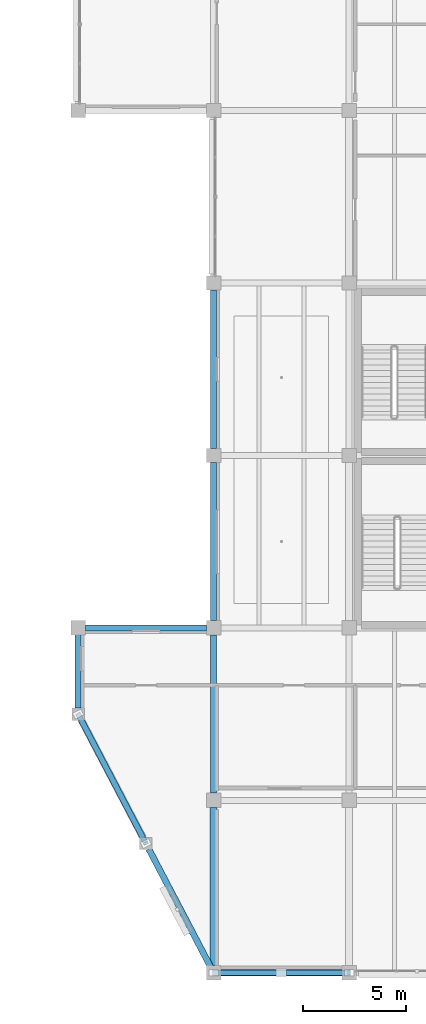
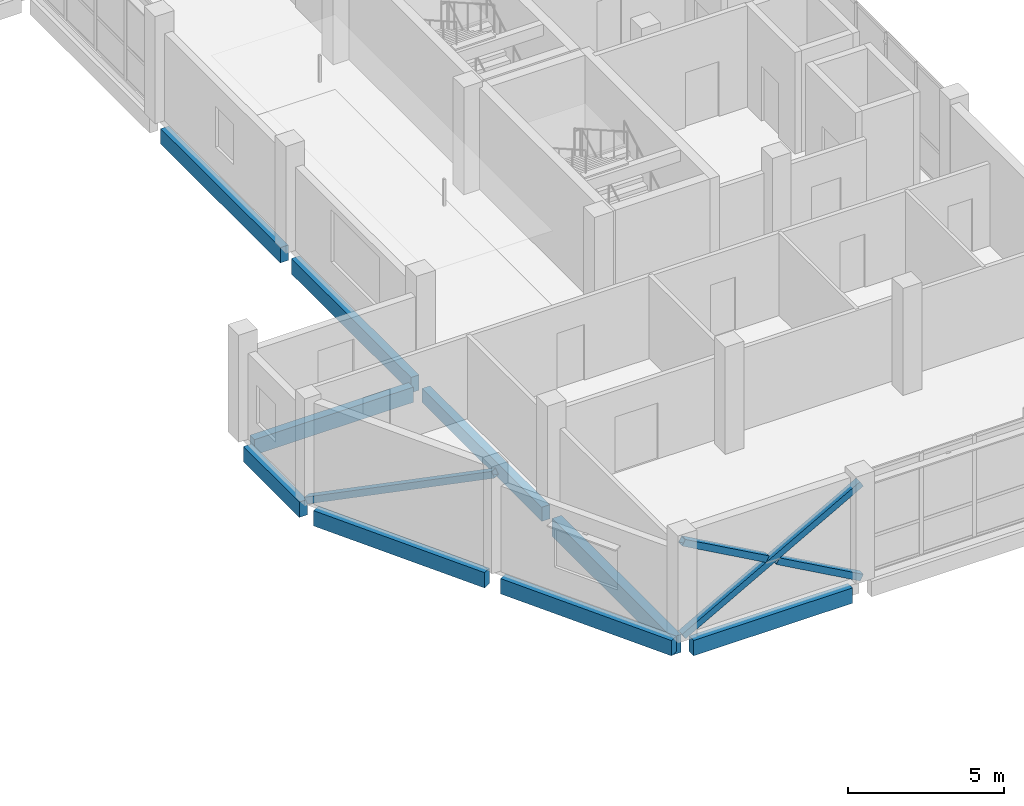
# One storey, part 15 of 47: 9 beams, 4 members.
"""IFC4 building model written with IfcOpenShell, lengths in metres."""

import ifcopenshell
import ifcopenshell.guid

model = None  # the IFC model being written
_history = None  # IfcOwnerHistory: only IFC2X3 demands one
_inside = {}  # id of a spatial element -> (the spatial element, [elements in it])
_under = {}  # id of a project, library or spatial element -> (it, [spatial elements below it])
_declared = {}  # id of a project -> (the project, [libraries it declares])
_typed = {}  # id of a type object -> (the type object, [elements of that type])
_made_of = {}  # id of a material, layer set ... -> (it, [elements and type objects made of it])


def new_model(schema):
    """Start an empty IFC model of exactly this schema.

    Asked for "IFC4X3", IfcOpenShell would pick the latest addendum, in which some entities
    have other attributes; the version numbers below select the first issue.
    IFC2X3 requires an IfcOwnerHistory on every rooted entity: one is made here for all.
    """
    global model, _history
    if schema == "IFC4X3":
        model = ifcopenshell.file(schema_version=(4, 3, 0, 0))
    else:
        model = ifcopenshell.file(schema=schema)
    _inside.clear()
    _under.clear()
    _declared.clear()
    _typed.clear()
    _made_of.clear()
    _history = None
    if model.schema == "IFC2X3":
        org = make("IfcOrganization", Name="unknown")
        user = make(
            "IfcPersonAndOrganization",
            ThePerson=make("IfcPerson", FamilyName="unknown"),
            TheOrganization=org,
        )
        app = make(
            "IfcApplication",
            ApplicationDeveloper=org,
            Version="unknown",
            ApplicationFullName="unknown",
            ApplicationIdentifier="unknown",
        )
        _history = make(
            "IfcOwnerHistory",
            OwningUser=user,
            OwningApplication=app,
            ChangeAction="ADDED",
            CreationDate=0,
        )
    return model


def make(cls, **values):
    """One entity of the class cls with the attributes given. An attribute that is None is left unset."""
    return model.create_entity(
        cls, **{name: value for name, value in values.items() if value is not None}
    )


def rooted(cls, **values):
    """An entity with a GlobalId (a new one), such as an element, a storey or a relation."""
    return make(cls, GlobalId=ifcopenshell.guid.new(), OwnerHistory=_history, **values)


def si_unit(unit_type, name, prefix=None):
    """IfcSIUnit, for example si_unit("LENGTHUNIT", "METRE", prefix="MILLI")."""
    return make("IfcSIUnit", UnitType=unit_type, Prefix=prefix, Name=name)


def assignment(units):
    """IfcUnitAssignment: the units of a project."""
    return None if units is None else make("IfcUnitAssignment", Units=units)


def point(xyz):
    """IfcCartesianPoint."""
    return None if xyz is None else make("IfcCartesianPoint", Coordinates=xyz)


def direction(xyz):
    """IfcDirection."""
    return None if xyz is None else make("IfcDirection", DirectionRatios=xyz)


def frame(location, z_axis=None, x_axis=None):
    """IfcAxis2Placement3D, a coordinate frame: its origin and axes. An axis left out is left unset."""
    return make(
        "IfcAxis2Placement3D",
        Location=point(location),
        Axis=direction(z_axis),
        RefDirection=direction(x_axis),
    )


def frame_2d(location, x_axis=None):
    """IfcAxis2Placement2D, a coordinate frame in the plane: its origin and x axis."""
    return make(
        "IfcAxis2Placement2D", Location=point(location), RefDirection=direction(x_axis)
    )


def origin():
    """The frame at (0, 0, 0) with its axes left unset."""
    return frame((0.0, 0.0, 0.0))


def origin_2d():
    """The frame at (0, 0) in the plane with its x axis left unset."""
    return frame_2d((0.0, 0.0))


def place(relative_to, where):
    """IfcLocalPlacement: puts the frame where relative to a parent placement (None: the world)."""
    return make(
        "IfcLocalPlacement", PlacementRelTo=relative_to, RelativePlacement=where
    )


def context(
    kind, dimensions, precision=None, world=None, true_north=None, identifier=None
):
    """IfcGeometricRepresentationContext, for example the 3D "Model" context."""
    return make(
        "IfcGeometricRepresentationContext",
        ContextIdentifier=identifier,
        ContextType=kind,
        CoordinateSpaceDimension=dimensions,
        Precision=precision,
        WorldCoordinateSystem=world,
        TrueNorth=true_north,
    )


def subcontext(parent, identifier, kind, view, scale=None):
    """IfcGeometricRepresentationSubContext, for example "Body" below "Model"."""
    return make(
        "IfcGeometricRepresentationSubContext",
        ContextIdentifier=identifier,
        ContextType=kind,
        ParentContext=parent,
        TargetScale=scale,
        TargetView=view,
    )


def project(units=None, contexts=None):
    """IfcProject with its units and contexts."""
    return rooted(
        "IfcProject",
        Name="project",
        RepresentationContexts=contexts,
        UnitsInContext=assignment(units),
    )


def spatial(cls, under=None, at=None, **own):
    """A site, building, storey or space (cls), placed at a placement, below another one or the project."""
    s = rooted(cls, ObjectPlacement=at, **own)
    if under is not None:
        _under.setdefault(under.id(), (under, []))[1].append(s)
    return s


def profile(cls, at=None, kind="AREA", **sizes):
    """A parametric profile (cls). Its sizes go by their IFC names, for example OverallWidth=200.0."""
    return make(cls, ProfileType=kind, Position=at, **sizes)


def rectangle(**sizes):
    """IfcRectangleProfileDef."""
    return profile("IfcRectangleProfileDef", **sizes)


def hollow_rectangle(**sizes):
    """IfcRectangleHollowProfileDef."""
    return profile("IfcRectangleHollowProfileDef", **sizes)


def extrude(swept, where, along, depth):
    """IfcExtrudedAreaSolid: the profile swept, set in the frame where, extruded along a direction by depth."""
    return make(
        "IfcExtrudedAreaSolid",
        SweptArea=swept,
        Position=where,
        ExtrudedDirection=direction(along),
        Depth=depth,
    )


def shape(context_of_items, identifier, shape_type, items):
    """IfcShapeRepresentation: the items that make up one representation, for example the "Body"."""
    return make(
        "IfcShapeRepresentation",
        ContextOfItems=context_of_items,
        RepresentationIdentifier=identifier,
        RepresentationType=shape_type,
        Items=items,
    )


def material(Name=None, Category=None):
    """IfcMaterial."""
    return make("IfcMaterial", Name=Name, Category=Category)


def material_profile(
    of_material, cross_section, Name=None, Category=None, Priority=None
):
    """IfcMaterialProfile: a cross section and its material."""
    return make(
        "IfcMaterialProfile",
        Name=Name,
        Material=of_material,
        Profile=cross_section,
        Priority=Priority,
        Category=Category,
    )


def profile_set(profiles, Name=None, composite=None):
    """IfcMaterialProfileSet."""
    return make(
        "IfcMaterialProfileSet",
        Name=Name,
        MaterialProfiles=profiles,
        CompositeProfile=composite,
    )


def made_of(thing, what):
    """Note that an element or type object is made of a material, layer set ...; save() writes the relation."""
    if what is not None:
        _made_of.setdefault(what.id(), (what, []))[1].append(thing)
    return thing


def type_object(cls, material=None, **own):
    """A type object (cls), such as IfcWallType, which elements share."""
    return made_of(rooted(cls, **own), material)


def element(
    cls,
    number,
    at=None,
    inside=None,
    cuts=None,
    type_object=None,
    material=None,
    context=None,
    identifier="Body",
    shape_type=None,
    held_by="IfcProductDefinitionShape",
    body=None,
    shapes=None,
    **own,
):
    """One element of the class cls, such as IfcWall. Its Tag is "e" and its number.

    at: its placement. inside: the storey or other place that contains it. cuts: it is an
    opening in that element (IfcRelVoidsElement). A single representation is given by context,
    identifier, shape_type and body (its items); several are given by shapes. held_by: the class
    of the entity that holds the representations. save() writes the other relations.
    """
    e = rooted(cls, Tag="e%d" % number, ObjectPlacement=at, **own)
    if body is not None:
        shapes = [shape(context, identifier, shape_type, body)]
    if shapes is not None:
        e.Representation = make(held_by, Representations=shapes)
    if inside is not None:
        _inside.setdefault(inside.id(), (inside, []))[1].append(e)
    if cuts is not None:
        rooted(
            "IfcRelVoidsElement", RelatingBuildingElement=cuts, RelatedOpeningElement=e
        )
    if type_object is not None:
        _typed.setdefault(type_object.id(), (type_object, []))[1].append(e)
    return made_of(e, material)


def aggregate(whole, parts):
    """IfcRelAggregates: a whole, such as a stair, and the parts it consists of."""
    return rooted("IfcRelAggregates", RelatingObject=whole, RelatedObjects=parts)


def save(model, path):
    """Write the relations noted so far, then the file.

    IfcRelAggregates (storeys below a building ...), IfcRelContainedInSpatialStructure (elements
    in a storey), IfcRelDefinesByType, IfcRelAssociatesMaterial and IfcRelDeclares: one each for
    every whole, place, type object, material and project.
    """
    for whole, parts in _under.values():
        aggregate(whole, parts)
    for where, things in _inside.values():
        rooted(
            "IfcRelContainedInSpatialStructure",
            RelatedElements=things,
            RelatingStructure=where,
        )
    for kind, things in _typed.values():
        rooted("IfcRelDefinesByType", RelatedObjects=things, RelatingType=kind)
    for what, things in _made_of.values():
        rooted("IfcRelAssociatesMaterial", RelatedObjects=things, RelatingMaterial=what)
    for by, libraries in _declared.values():
        rooted("IfcRelDeclares", RelatingContext=by, RelatedDefinitions=libraries)
    model.write(path)


model = new_model("IFC4")

# Units and contexts
model_context = context("Model", 3, precision=1e-05, world=origin(), true_north=direction((0.0, 1.0)))
body_context = subcontext(model_context, "Body", "Model", "MODEL_VIEW")
ifc_project = project(units=[si_unit("LENGTHUNIT", "METRE"), si_unit("AREAUNIT", "SQUARE_METRE"), si_unit("VOLUMEUNIT", "CUBIC_METRE"), si_unit("PLANEANGLEUNIT", "RADIAN"), si_unit("MASSUNIT", "GRAM", prefix="KILO")], contexts=[model_context])

# Site, building, storey
site_placement = place(None, origin())
site = spatial("IfcSite", under=ifc_project, at=site_placement, CompositionType="ELEMENT")
building_placement = place(site_placement, origin())
building = spatial("IfcBuilding", under=site, at=building_placement, Name="Qaldarim Faculty of Natural and Applied Sciences", CompositionType="ELEMENT")
storey_placement = place(building_placement, frame((0.0, 0.0, 22.800048828125)))
storey = spatial("IfcBuildingStorey", under=building, at=storey_placement, Name="L05", CompositionType="ELEMENT", Elevation=22.800048828125)

# Beam
ifc_material_1 = material(Name="Concrete C40/50", Category="concrete")
ifc_material_profile_1 = material_profile(ifc_material_1, rectangle(XDim=0.300048828125, YDim=0.550048828125, at=origin_2d()), Name="RC-B300x550")
ifc_profile_set_1 = profile_set([ifc_material_profile_1], Name="Concrete C40/50")
beam_type_1 = type_object("IfcBeamType", Name="FloorBeam-RC300x550", PredefinedType="BEAM", material=ifc_profile_set_1)
beam_1_placement = place(storey_placement, frame((158.39990234375, 8.75, -0.53515625), z_axis=(0.0, 1.0, 0.0), x_axis=(-1.0, 0.0, 0.0)))
element("IfcBeam", 1, at=beam_1_placement, inside=storey, type_object=beam_type_1, Name="Beam RC-B300x550 L04 X25/Y02-Y03", PredefinedType="BEAM", context=body_context, shape_type="SweptSolid", body=[
    extrude(rectangle(XDim=0.300048828125, YDim=0.550048828125, at=origin_2d()), origin(), (0.0, 0.0, 1.0), 7.699951171875),
])

# Members
ifc_material_2 = material(Name="Structural steel S355", Category="steel")
ifc_material_profile_2 = material_profile(ifc_material_2, hollow_rectangle(XDim=0.25, YDim=0.25, WallThickness=0.01611328125, at=origin_2d()), Name="SHS 250x250x16.0")
ifc_profile_set_2 = profile_set([ifc_material_profile_2], Name="Structural steel S355")
member_type = type_object("IfcMemberType", Name="MidWingBrace-SHS250x16", PredefinedType="BRACE", material=ifc_profile_set_2)
member_1_placement = place(storey_placement, frame((158.39990234375, 0.0, 0.0), z_axis=(0.873414086048, 0.0, 0.48697826881), x_axis=(0.0, 1.0, 0.0)))
element("IfcMember", 2, at=member_1_placement, inside=storey, type_object=member_type, Name="South diagrid L05 primary brace L", PredefinedType="BRACE", context=body_context, shape_type="SweptSolid", body=[
    extrude(hollow_rectangle(XDim=0.25, YDim=0.25, WallThickness=0.01611328125, at=origin_2d()), origin(), (0.0, 0.0, 1.0), 7.556640625),
])
for number, where, z_axis, x_axis, name in (
    (3, (165.0, 0.0, 0.0), (-0.873318444574, 0.0, 0.487149765849), (0.0, -1.0, 0.0), "South diagrid L05 split secondary lower brace R1"),
    (4, (161.510009765625, 0.0, 1.945068359375), (-0.873318444574, 0.0, 0.487149765849), (0.0, -1.0, 0.0), "South diagrid L05 split secondary upper brace R2"),
):
    element("IfcMember", number, at=place(storey_placement, frame(where, z_axis=z_axis, x_axis=x_axis)), inside=storey, type_object=member_type, Name=name, PredefinedType="BRACE", context=body_context, shape_type="SweptSolid", body=[
        extrude(hollow_rectangle(XDim=0.25, YDim=0.25, WallThickness=0.01611328125, at=origin_2d()), origin(), (0.0, 0.0, 1.0), 3.561279296875),
    ])
member_2_placement = place(storey_placement, frame((151.800048828125, 12.60009765625, 0.0), z_axis=(0.412110813577, -0.786751464404, 0.459550661615), x_axis=(0.885830191482, 0.464009560095, 0.0)))
element("IfcMember", 5, at=member_2_placement, inside=storey, type_object=member_type, Name="Oblique SW chamfer exoskeleton brace L05 1", PredefinedType="BRACE", context=body_context, shape_type="SweptSolid", body=[
    extrude(hollow_rectangle(XDim=0.25, YDim=0.25, WallThickness=0.01611328125, at=origin_2d()), origin(), (0.0, 0.0, 1.0), 8.007568359375),
])

# Beams
ifc_material_profile_3 = material_profile(ifc_material_1, rectangle(XDim=0.35009765625, YDim=0.699951171875, at=origin_2d()), Name="RC-B350x700")
ifc_profile_set_3 = profile_set([ifc_material_profile_3], Name="Concrete C40/50")
beam_type_2 = type_object("IfcBeamType", Name="PrimaryGirder-RC350x700", PredefinedType="BEAM", material=ifc_profile_set_3)
beam_2_placement = place(storey_placement, frame((158.39990234375, 0.35009765625, -0.610107421875), z_axis=(0.0, 1.0, 0.0), x_axis=(-1.0, 0.0, 0.0)))
element("IfcBeam", 6, at=beam_2_placement, inside=storey, type_object=beam_type_2, Name="Beam RC-B350x700 L04 X25/Y01-Y02", PredefinedType="BEAM", context=body_context, shape_type="SweptSolid", body=[
    extrude(rectangle(XDim=0.35009765625, YDim=0.699951171875, at=origin_2d()), origin(), (0.0, 0.0, 1.0), 7.699951171875),
])
ifc_material_3 = material(Name="Precast concrete C40/50", Category="concrete")
ifc_material_profile_4 = material_profile(ifc_material_3, rectangle(XDim=0.300048828125, YDim=0.60009765625, at=origin_2d()), Name="RC-SP300x600")
ifc_profile_set_4 = profile_set([ifc_material_profile_4], Name="Precast concrete C40/50")
beam_type_3 = type_object("IfcBeamType", Name="SpandrelBeam-RC300x600", PredefinedType="SPANDREL", material=ifc_profile_set_4)
beam_3_placement = place(storey_placement, frame((158.75, 0.0, -0.56005859375), z_axis=(1.0, 0.0, 0.0), x_axis=(0.0, 1.0, 0.0)))
element("IfcBeam", 7, at=beam_3_placement, inside=storey, type_object=beam_type_3, Name="Beam RC-SP300x600 L04 X25-X26/Y01", PredefinedType="SPANDREL", context=body_context, shape_type="SweptSolid", body=[
    extrude(rectangle(XDim=0.300048828125, YDim=0.60009765625, at=origin_2d()), origin(), (0.0, 0.0, 1.0), 5.89990234375),
])
beam_4_placement = place(storey_placement, frame((152.14990234375, 16.800048828125, -0.56005859375), z_axis=(1.0, 0.0, 0.0), x_axis=(0.0, 1.0, 0.0)))
element("IfcBeam", 8, at=beam_4_placement, inside=storey, type_object=beam_type_3, Name="Beam RC-SP300x600 L04 X24-X25/Y03", PredefinedType="SPANDREL", context=body_context, shape_type="SweptSolid", body=[
    extrude(rectangle(XDim=0.300048828125, YDim=0.60009765625, at=origin_2d()), origin(), (0.0, 0.0, 1.0), 5.900146484375),
])
beam_5_placement = place(storey_placement, frame((158.39990234375, 17.14990234375, -0.56005859375), z_axis=(0.0, 1.0, 0.0), x_axis=(-1.0, 0.0, 0.0)))
element("IfcBeam", 9, at=beam_5_placement, inside=storey, type_object=beam_type_3, Name="Beam RC-SP300x600 L04 X25/Y03-Y04", PredefinedType="SPANDREL", context=body_context, shape_type="SweptSolid", body=[
    extrude(rectangle(XDim=0.300048828125, YDim=0.60009765625, at=origin_2d()), origin(), (0.0, 0.0, 1.0), 7.7001953125),
])
beam_6_placement = place(storey_placement, frame((158.39990234375, 25.550048828125, -0.56005859375), z_axis=(0.0, 1.0, 0.0), x_axis=(-1.0, 0.0, 0.0)))
element("IfcBeam", 10, at=beam_6_placement, inside=storey, type_object=beam_type_3, Name="Beam RC-SP300x600 L04 X25/Y04-Y05", PredefinedType="SPANDREL", context=body_context, shape_type="SweptSolid", body=[
    extrude(rectangle(XDim=0.300048828125, YDim=0.60009765625, at=origin_2d()), origin(), (0.0, 0.0, 1.0), 7.699951171875),
])
beam_7_placement = place(storey_placement, frame((151.800048828125, 16.5, -0.56005859375), z_axis=(0.0, -1.0, 0.0), x_axis=(1.0, 0.0, 0.0)))
element("IfcBeam", 11, at=beam_7_placement, inside=storey, type_object=beam_type_3, Name="Oblique SW chamfer spandrel L04 1", PredefinedType="SPANDREL", context=body_context, shape_type="SweptSolid", body=[
    extrude(rectangle(XDim=0.300048828125, YDim=0.60009765625, at=origin_2d()), origin(), (0.0, 0.0, 1.0), 3.60009765625),
])
for number, where, z_axis, x_axis, name in (
    (12, (151.93994140625, 12.330078125, -0.56005859375), (0.464353423794, -0.885649986061, 0.0), (0.885649986061, 0.464353423794, 0.0), "Oblique SW chamfer spandrel L04 2"),
    (13, (155.239990234375, 6.030029296875, -0.56005859375), (0.464353423794, -0.885649986061, 0.0), (0.885649986061, 0.464353423794, 0.0), "Oblique SW chamfer spandrel L04 3"),
):
    element("IfcBeam", number, at=place(storey_placement, frame(where, z_axis=z_axis, x_axis=x_axis)), inside=storey, type_object=beam_type_3, Name=name, PredefinedType="SPANDREL", context=body_context, shape_type="SweptSolid", body=[
        extrude(rectangle(XDim=0.300048828125, YDim=0.60009765625, at=origin_2d()), origin(), (0.0, 0.0, 1.0), 6.503662109375),
    ])

save(model, "model.ifc")
